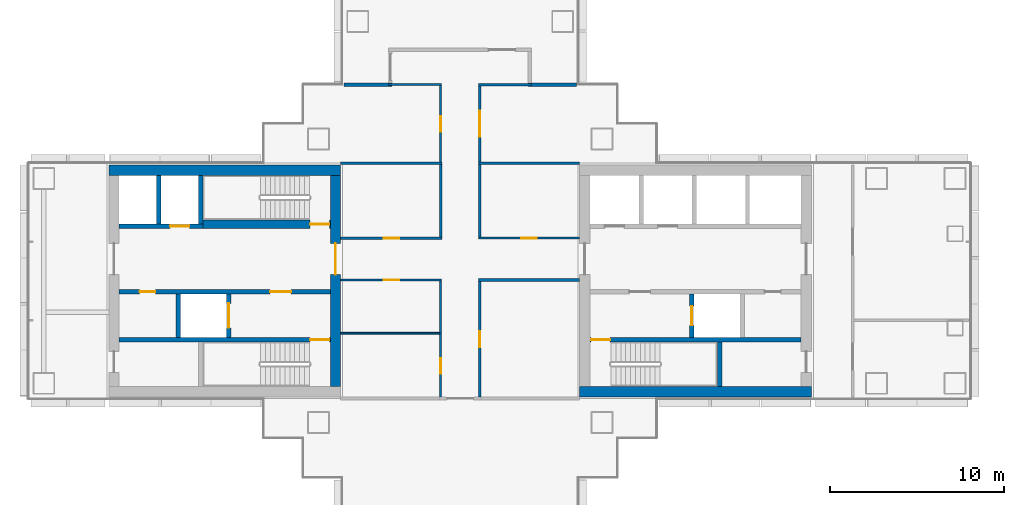
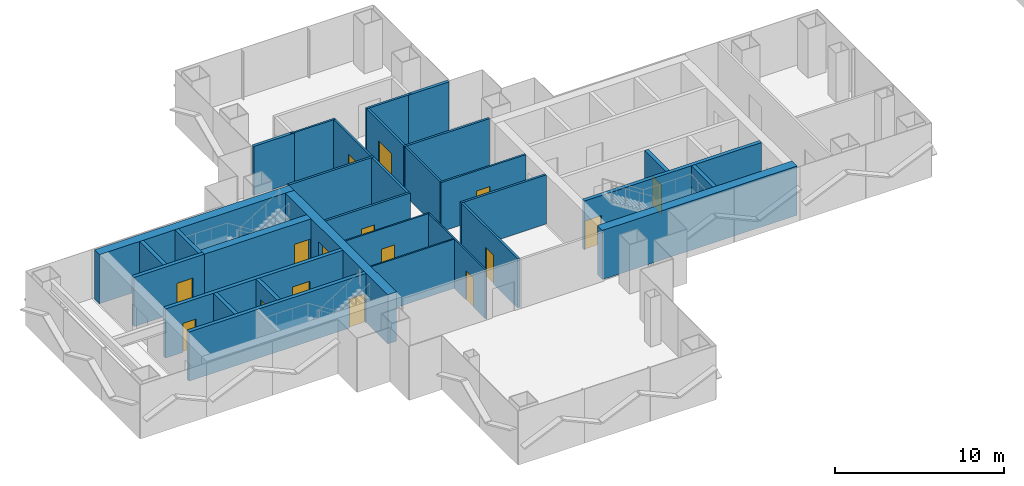
# One storey, part 11 of 19: 31 walls, 16 doors, 16 openings.
"""IFC4 building model written with IfcOpenShell, lengths in metres."""

from ifc_helpers import new_model, si_unit, direction, frame, frame_2d, origin, place, context, subcontext, project, spatial, rectangle, extrude, material, layer, layer_set, type_object, element, fill, save


model = new_model("IFC4")

# Units and contexts
model_context = context("Model", 3, precision=1e-05, world=origin(), true_north=direction((0.0, 1.0)))
body_context = subcontext(model_context, "Body", "Model", "MODEL_VIEW")
ifc_project = project(units=[si_unit("LENGTHUNIT", "METRE"), si_unit("AREAUNIT", "SQUARE_METRE"), si_unit("VOLUMEUNIT", "CUBIC_METRE"), si_unit("PLANEANGLEUNIT", "RADIAN"), si_unit("MASSUNIT", "GRAM", prefix="KILO")], contexts=[model_context])

# Site, building, storey
site_placement = place(None, origin())
site = spatial("IfcSite", under=ifc_project, at=site_placement, CompositionType="ELEMENT")
building_placement = place(site_placement, origin())
building = spatial("IfcBuilding", under=site, at=building_placement, Name="Shamsa Quay Exchange Towers", CompositionType="ELEMENT")
storey_placement = place(building_placement, frame((0.0, 0.0, 97.5)))
storey = spatial("IfcBuildingStorey", under=building, at=storey_placement, Name="L22", CompositionType="ELEMENT", Elevation=97.5)

# Walls
ifc_material_1 = material(Name="Double-leaf gypsum board partition with acoustic insulation")
ifc_layer_1 = layer(ifc_material_1, 0.199951171875)
ifc_layer_set_1 = layer_set([ifc_layer_1], Name="Acoustic partition 200 mm EI 60")
wall_type_1 = type_object("IfcWallType", Name="Acoustic partition 200 mm EI 60", PredefinedType="PARTITIONING", material=ifc_layer_set_1)
for number, where, z_axis, x_axis, name in (
    (1, (-27.094970703125, 11.25, 0.0), (0.0, 0.0, 1.0), (-1.0, 0.0, 0.0), "Partition T1-R09-W23"),
    (2, (-37.64990234375, 11.25, 0.0), (0.0, 0.0, 1.0), (-1.0, 0.0, 0.0), "Partition T1-R09-W24"),
):
    element("IfcWall", number, at=place(storey_placement, frame(where, z_axis=z_axis, x_axis=x_axis)), inside=storey, type_object=wall_type_1, Name=name, PredefinedType="PARTITIONING", context=body_context, shape_type="SweptSolid", body=[
        extrude(rectangle(XDim=2.755126953125, YDim=0.199951171875, at=frame_2d((1.37744140625, 0.0))), origin(), (0.0, 0.0, 1.0), 3.550048828125),
    ])
ifc_material_2 = material(Name="Concrete C70/85", Category="concrete")
ifc_layer_2 = layer(ifc_material_2, 0.60009765625)
ifc_layer_set_2 = layer_set([ifc_layer_2], Name="CORE WALL 600 C70/85")
wall_type_2 = type_object("IfcWallType", Name="CORE WALL 600 C70/85", PredefinedType="SHEAR", material=ifc_layer_set_2)
wall_1_placement = place(storey_placement, frame((-26.89990234375, -6.35009765625, 0.0)))
element("IfcWall", 3, at=wall_1_placement, inside=storey, type_object=wall_type_2, Name="Core wall T1A-R09-PS", PredefinedType="SHEAR", context=body_context, shape_type="SweptSolid", body=[
    extrude(rectangle(XDim=13.2998046875, YDim=0.60009765625, at=frame_2d((6.64990234375, 0.0))), origin(), (0.0, 0.0, 1.0), 3.550048828125),
])
wall_2_placement = place(storey_placement, frame((-40.60009765625, 6.35009765625, 0.0), z_axis=(0.0, 0.0, 1.0), x_axis=(-1.0, 0.0, 0.0)))
element("IfcWall", 4, at=wall_2_placement, inside=storey, type_object=wall_type_2, Name="Core wall T1B-R09-PN", PredefinedType="SHEAR", context=body_context, shape_type="SweptSolid", body=[
    extrude(rectangle(XDim=13.2998046875, YDim=0.60009765625, at=frame_2d((6.64990234375, 0.0))), origin(), (0.0, 0.0, 1.0), 3.550048828125),
])

# Wall, opening, door
wall_3_placement = place(storey_placement, frame((-40.89990234375, -6.050048828125, 0.0), z_axis=(0.0, 0.0, 1.0), x_axis=(0.0, 1.0, 0.0)))
wall_3 = element("IfcWall", 5, at=wall_3_placement, inside=storey, type_object=wall_type_2, Name="Core wall T1B-R09-PF", PredefinedType="SHEAR", context=body_context, shape_type="SweptSolid", body=[
    extrude(rectangle(XDim=12.10009765625, YDim=0.60009765625, at=frame_2d((6.050048828125, 0.0))), origin(), (0.0, 0.0, 1.0), 3.550048828125),
])
opening_1_placement = place(wall_3_placement, frame((6.39990234375, 0.0, 0.0)))
opening_1 = element("IfcOpeningElement", 6, at=opening_1_placement, cuts=wall_3, Name="Opening T1B-R09-LBD01", PredefinedType="OPENING", context=body_context, shape_type="SweptSolid", body=[
    extrude(rectangle(XDim=1.800048828125, YDim=2.39990234375, at=frame_2d((0.89990234375, 1.199951171875))), frame((0.0, 0.31005859375, 0.0), z_axis=(0.0, -1.0, 0.0), x_axis=(1.0, 0.0, 0.0)), (0.0, 0.0, 1.0), 0.6201171875),
])
ifc_material_3 = material(Name="Steel, fire rated", Category="steel")
door_type_1 = type_object("IfcDoorType", Name="LIFT LOBBY DOOR PAIR 1800", OperationType="DOUBLE_DOOR_SINGLE_SWING", PredefinedType="DOOR", material=ifc_material_3)
door_1_placement = place(opening_1_placement, origin())
door_1 = element("IfcDoor", 7, at=door_1_placement, inside=storey, type_object=door_type_1, Name="T1B-R09-LBD01", OperationType="DOUBLE_DOOR_SINGLE_SWING", OverallHeight=2.39990234375, OverallWidth=1.800048828125, PredefinedType="DOOR", context=body_context, shape_type="SweptSolid", body=[
    extrude(rectangle(XDim=1.800048828125, YDim=2.39990234375, at=frame_2d((0.89990234375, 1.199951171875))), frame((0.0, 0.02490234375, 0.0), z_axis=(0.0, -1.0, 0.0), x_axis=(1.0, 0.0, 0.0)), (0.0, 0.0, 1.0), 0.050048828125),
])
fill(opening_1, door_1)

# Wall
ifc_material_4 = material(Name="Laminated fire-resisting glass in a metal frame", Category="glass")
ifc_layer_3 = layer(ifc_material_4, 0.125)
ifc_layer_set_3 = layer_set([ifc_layer_3], Name="Glazed partition 125 mm EI 60")
wall_type_3 = type_object("IfcWallType", Name="Glazed partition 125 mm EI 60", PredefinedType="PARTITIONING", material=ifc_layer_set_3)
wall_4_placement = place(storey_placement, frame((-32.625, 6.675048828125, 0.0), z_axis=(0.0, 0.0, 1.0), x_axis=(0.0, -1.0, 0.0)))
element("IfcWall", 8, at=wall_4_placement, inside=storey, type_object=wall_type_3, Name="Partition T1-R09-W01", PredefinedType="PARTITIONING", context=body_context, shape_type="SweptSolid", body=[
    extrude(rectangle(XDim=4.162353515625, YDim=0.125, at=frame_2d((2.0810546875, 0.0))), origin(), (0.0, 0.0, 1.0), 3.550048828125),
])

# Wall, opening, door
wall_5_placement = place(storey_placement, frame((-32.6875, 2.4501953125, 0.0)))
wall_5 = element("IfcWall", 9, at=wall_5_placement, inside=storey, type_object=wall_type_3, Name="Partition T1-R09-W02", PredefinedType="PARTITIONING", context=body_context, shape_type="SweptSolid", body=[
    extrude(rectangle(XDim=5.78759765625, YDim=0.125, at=frame_2d((2.893798828125, 0.0))), origin(), (0.0, 0.0, 1.0), 3.550048828125),
])
opening_2_placement = place(wall_5_placement, frame((2.425048828125, 0.0, 0.0)))
opening_2 = element("IfcOpeningElement", 10, at=opening_2_placement, cuts=wall_5, Name="Opening T1-R09-D08", PredefinedType="OPENING", context=body_context, shape_type="SweptSolid", body=[
    extrude(rectangle(XDim=0.89990234375, YDim=2.10009765625, at=frame_2d((0.449951171875, 1.050048828125))), frame((0.0, 0.072509765625, 0.0), z_axis=(0.0, -1.0, 0.0), x_axis=(1.0, 0.0, 0.0)), (0.0, 0.0, 1.0), 0.14501953125),
])
ifc_material_5 = material(Name="Timber door leaf in a metal frame", Category="wood")
door_type_2 = type_object("IfcDoorType", Name="Door 900x2100 FD30S", OperationType="NOTDEFINED", PredefinedType="DOOR", material=ifc_material_5)
door_2_placement = place(opening_2_placement, origin())
door_2 = element("IfcDoor", 11, at=door_2_placement, inside=storey, type_object=door_type_2, Name="Door T1-R09-D08", OperationType="SINGLE_SWING_RIGHT", OverallHeight=2.10009765625, OverallWidth=0.89990234375, PredefinedType="DOOR", context=body_context, shape_type="SweptSolid", body=[
    extrude(rectangle(XDim=0.89990234375, YDim=2.10009765625, at=frame_2d((0.449951171875, 1.050048828125))), frame((0.0, 0.02490234375, 0.0), z_axis=(0.0, -1.0, 0.0), x_axis=(1.0, 0.0, 0.0)), (0.0, 0.0, 1.0), 0.050048828125),
])
fill(opening_2, door_2)

wall_6_placement = place(storey_placement, frame((-34.875, 6.824951171875, 0.0), z_axis=(0.0, 0.0, 1.0), x_axis=(0.0, 1.0, 0.0)))
wall_6 = element("IfcWall", 12, at=wall_6_placement, inside=storey, type_object=wall_type_3, Name="Partition T1-R09-W11", PredefinedType="PARTITIONING", context=body_context, shape_type="SweptSolid", body=[
    extrude(rectangle(XDim=4.362548828125, YDim=0.125, at=frame_2d((2.18115234375, 0.0))), origin(), (0.0, 0.0, 1.0), 3.550048828125),
])
opening_3_placement = place(wall_6_placement, frame((1.72509765625, 0.0, 0.0)))
opening_3 = element("IfcOpeningElement", 13, at=opening_3_placement, cuts=wall_6, Name="Opening T1-R09-D05", PredefinedType="OPENING", context=body_context, shape_type="SweptSolid", body=[
    extrude(rectangle(XDim=0.89990234375, YDim=2.10009765625, at=frame_2d((0.449951171875, 1.050048828125))), frame((0.0, 0.072509765625, 0.0), z_axis=(0.0, -1.0, 0.0), x_axis=(1.0, 0.0, 0.0)), (0.0, 0.0, 1.0), 0.14501953125),
])
door_3_placement = place(opening_3_placement, origin())
door_3 = element("IfcDoor", 14, at=door_3_placement, inside=storey, type_object=door_type_2, Name="Door T1-R09-D05", OperationType="SINGLE_SWING_LEFT", OverallHeight=2.10009765625, OverallWidth=0.89990234375, PredefinedType="DOOR", context=body_context, shape_type="SweptSolid", body=[
    extrude(rectangle(XDim=0.89990234375, YDim=2.10009765625, at=frame_2d((0.449951171875, 1.050048828125))), frame((0.0, 0.02490234375, 0.0), z_axis=(0.0, -1.0, 0.0), x_axis=(1.0, 0.0, 0.0)), (0.0, 0.0, 1.0), 0.050048828125),
])
fill(opening_3, door_3)

# Wall
wall_7_placement = place(storey_placement, frame((-34.8125, 11.25, 0.0), z_axis=(0.0, 0.0, 1.0), x_axis=(-1.0, 0.0, 0.0)))
element("IfcWall", 15, at=wall_7_placement, inside=storey, type_object=wall_type_3, Name="Partition T1-R09-W12", PredefinedType="PARTITIONING", context=body_context, shape_type="SweptSolid", body=[
    extrude(rectangle(XDim=3.03759765625, YDim=0.125, at=frame_2d((1.518798828125, 0.0))), origin(), (0.0, 0.0, 1.0), 3.550048828125),
])

# Wall, opening, door
ifc_material_6 = material(Name="Gypsum board partition on metal studs")
ifc_layer_4 = layer(ifc_material_6, 0.10009765625)
ifc_layer_set_4 = layer_set([ifc_layer_4], Name="Partition 100 mm NOT RATED")
wall_type_4 = type_object("IfcWallType", Name="Partition 100 mm NOT RATED", PredefinedType="PARTITIONING", material=ifc_layer_set_4)
wall_8_placement = place(storey_placement, frame((-34.875, -6.675048828125, 0.0), z_axis=(0.0, 0.0, 1.0), x_axis=(0.0, 1.0, 0.0)))
wall_8 = element("IfcWall", 16, at=wall_8_placement, inside=storey, type_object=wall_type_4, Name="Partition T1-R09-W08", PredefinedType="PARTITIONING", context=body_context, shape_type="SweptSolid", body=[
    extrude(rectangle(XDim=6.6748046875, YDim=0.10009765625, at=frame_2d((3.33740234375, 0.0))), origin(), (0.0, 0.0, 1.0), 3.550048828125),
])
opening_4_placement = place(wall_8_placement, frame((1.35009765625, 0.0, 0.0)))
opening_4 = element("IfcOpeningElement", 17, at=opening_4_placement, cuts=wall_8, Name="Opening T1-R09-D03", PredefinedType="OPENING", context=body_context, shape_type="SweptSolid", body=[
    extrude(rectangle(XDim=0.89990234375, YDim=2.10009765625, at=frame_2d((0.449951171875, 1.050048828125))), frame((0.0, 0.06005859375, 0.0), z_axis=(0.0, -1.0, 0.0), x_axis=(1.0, 0.0, 0.0)), (0.0, 0.0, 1.0), 0.1201171875),
])
door_type_3 = type_object("IfcDoorType", Name="Door 900x2100 NOT RATED", OperationType="NOTDEFINED", PredefinedType="DOOR", material=ifc_material_5)
door_4_placement = place(opening_4_placement, origin())
door_4 = element("IfcDoor", 18, at=door_4_placement, inside=storey, type_object=door_type_3, Name="Door T1-R09-D03", OperationType="SINGLE_SWING_RIGHT", OverallHeight=2.10009765625, OverallWidth=0.89990234375, PredefinedType="DOOR", context=body_context, shape_type="SweptSolid", body=[
    extrude(rectangle(XDim=0.89990234375, YDim=2.10009765625, at=frame_2d((0.449951171875, 1.050048828125))), frame((0.0, 0.02490234375, 0.0), z_axis=(0.0, -1.0, 0.0), x_axis=(1.0, 0.0, 0.0)), (0.0, 0.0, 1.0), 0.050048828125),
])
fill(opening_4, door_4)

wall_9_placement = place(storey_placement, frame((-34.824951171875, 0.0498046875, 0.0), z_axis=(0.0, 0.0, 1.0), x_axis=(-1.0, 0.0, 0.0)))
wall_9 = element("IfcWall", 19, at=wall_9_placement, inside=storey, type_object=wall_type_4, Name="Partition T1-R09-W09", PredefinedType="PARTITIONING", context=body_context, shape_type="SweptSolid", body=[
    extrude(rectangle(XDim=5.775146484375, YDim=0.10009765625, at=frame_2d((2.8876953125, 0.0))), origin(), (0.0, 0.0, 1.0), 3.550048828125),
])
opening_5_placement = place(wall_9_placement, frame((2.41259765625, 0.0, 0.0)))
opening_5 = element("IfcOpeningElement", 20, at=opening_5_placement, cuts=wall_9, Name="Opening T1-R09-D04", PredefinedType="OPENING", context=body_context, shape_type="SweptSolid", body=[
    extrude(rectangle(XDim=0.89990234375, YDim=2.10009765625, at=frame_2d((0.449951171875, 1.050048828125))), frame((0.0, 0.06005859375, 0.0), z_axis=(0.0, -1.0, 0.0), x_axis=(1.0, 0.0, 0.0)), (0.0, 0.0, 1.0), 0.1201171875),
])
door_5_placement = place(opening_5_placement, origin())
door_5 = element("IfcDoor", 21, at=door_5_placement, inside=storey, type_object=door_type_3, Name="Door T1-R09-D04", OperationType="SINGLE_SWING_LEFT", OverallHeight=2.10009765625, OverallWidth=0.89990234375, PredefinedType="DOOR", context=body_context, shape_type="SweptSolid", body=[
    extrude(rectangle(XDim=0.89990234375, YDim=2.10009765625, at=frame_2d((0.449951171875, 1.050048828125))), frame((0.0, 0.02490234375, 0.0), z_axis=(0.0, -1.0, 0.0), x_axis=(1.0, 0.0, 0.0)), (0.0, 0.0, 1.0), 0.050048828125),
])
fill(opening_5, door_5)

# Walls
wall_10_placement = place(storey_placement, frame((-34.925048828125, -3.0, 0.0), z_axis=(0.0, 0.0, 1.0), x_axis=(-1.0, 0.0, 0.0)))
element("IfcWall", 22, at=wall_10_placement, inside=storey, type_object=wall_type_4, Name="Partition T1-R09-W22", PredefinedType="PARTITIONING", context=body_context, shape_type="SweptSolid", body=[
    extrude(rectangle(XDim=5.675048828125, YDim=0.10009765625, at=frame_2d((2.83740234375, 0.0))), origin(), (0.0, 0.0, 1.0), 3.550048828125),
])
ifc_layer_5 = layer(ifc_material_6, 0.14990234375)
ifc_layer_set_5 = layer_set([ifc_layer_5], Name="Partition 150 mm EI 60")
wall_type_5 = type_object("IfcWallType", Name="Partition 150 mm EI 60", PredefinedType="PARTITIONING", material=ifc_layer_set_5)
wall_11_placement = place(storey_placement, frame((-26.89990234375, 0.0498046875, 0.0), z_axis=(0.0, 0.0, 1.0), x_axis=(-1.0, 0.0, 0.0)))
element("IfcWall", 23, at=wall_11_placement, inside=storey, type_object=wall_type_5, Name="Partition T1-R09-W03", PredefinedType="PARTITIONING", context=body_context, shape_type="SweptSolid", body=[
    extrude(rectangle(XDim=5.800048828125, YDim=0.14990234375, at=frame_2d((2.89990234375, 0.0))), origin(), (0.0, 0.0, 1.0), 3.550048828125),
])

# Wall, opening, door
wall_12_placement = place(storey_placement, frame((-32.625, 11.175048828125, 0.0), z_axis=(0.0, 0.0, 1.0), x_axis=(0.0, -1.0, 0.0)))
wall_12 = element("IfcWall", 24, at=wall_12_placement, inside=storey, type_object=wall_type_5, Name="Partition T1-R09-W04", PredefinedType="PARTITIONING", context=body_context, shape_type="SweptSolid", body=[
    extrude(rectangle(XDim=4.35009765625, YDim=0.14990234375, at=frame_2d((2.175048828125, 0.0))), origin(), (0.0, 0.0, 1.0), 3.550048828125),
])
opening_6_placement = place(wall_12_placement, frame((1.425048828125, 0.0, 0.0)))
opening_6 = element("IfcOpeningElement", 25, at=opening_6_placement, cuts=wall_12, Name="Opening T1-R09-D09", PredefinedType="OPENING", context=body_context, shape_type="SweptSolid", body=[
    extrude(rectangle(XDim=1.5, YDim=2.10009765625, at=frame_2d((0.75, 1.050048828125))), frame((0.0, 0.0849609375, 0.0), z_axis=(0.0, -1.0, 0.0), x_axis=(1.0, 0.0, 0.0)), (0.0, 0.0, 1.0), 0.169921875),
])
door_type_4 = type_object("IfcDoorType", Name="Door 1500x2100 FD30S pair", OperationType="NOTDEFINED", PredefinedType="DOOR", material=ifc_material_5)
door_6_placement = place(opening_6_placement, origin())
door_6 = element("IfcDoor", 26, at=door_6_placement, inside=storey, type_object=door_type_4, Name="Door T1-R09-D09", OperationType="DOUBLE_DOOR_SINGLE_SWING", OverallHeight=2.10009765625, OverallWidth=1.5, PredefinedType="DOOR", context=body_context, shape_type="SweptSolid", body=[
    extrude(rectangle(XDim=1.5, YDim=2.10009765625, at=frame_2d((0.75, 1.050048828125))), frame((0.0, 0.02490234375, 0.0), z_axis=(0.0, -1.0, 0.0), x_axis=(1.0, 0.0, 0.0)), (0.0, 0.0, 1.0), 0.050048828125),
])
fill(opening_6, door_6)

wall_13_placement = place(storey_placement, frame((-32.625, -0.025146484375, 0.0), z_axis=(0.0, 0.0, 1.0), x_axis=(0.0, -1.0, 0.0)))
wall_13 = element("IfcWall", 27, at=wall_13_placement, inside=storey, type_object=wall_type_5, Name="Partition T1-R09-W05", PredefinedType="PARTITIONING", context=body_context, shape_type="SweptSolid", body=[
    extrude(rectangle(XDim=6.64990234375, YDim=0.14990234375, at=frame_2d((3.324951171875, 0.0))), origin(), (0.0, 0.0, 1.0), 3.550048828125),
])
opening_7_placement = place(wall_13_placement, frame((2.875, 0.0, 0.0)))
opening_7 = element("IfcOpeningElement", 28, at=opening_7_placement, cuts=wall_13, Name="Opening T1-R09-D07", PredefinedType="OPENING", context=body_context, shape_type="SweptSolid", body=[
    extrude(rectangle(XDim=0.89990234375, YDim=2.10009765625, at=frame_2d((0.449951171875, 1.050048828125))), frame((0.0, 0.0849609375, 0.0), z_axis=(0.0, -1.0, 0.0), x_axis=(1.0, 0.0, 0.0)), (0.0, 0.0, 1.0), 0.169921875),
])
door_7_placement = place(opening_7_placement, origin())
door_7 = element("IfcDoor", 29, at=door_7_placement, inside=storey, type_object=door_type_2, Name="Door T1-R09-D07", OperationType="SINGLE_SWING_LEFT", OverallHeight=2.10009765625, OverallWidth=0.89990234375, PredefinedType="DOOR", context=body_context, shape_type="SweptSolid", body=[
    extrude(rectangle(XDim=0.89990234375, YDim=2.10009765625, at=frame_2d((0.449951171875, 1.050048828125))), frame((0.0, 0.02490234375, 0.0), z_axis=(0.0, -1.0, 0.0), x_axis=(1.0, 0.0, 0.0)), (0.0, 0.0, 1.0), 0.050048828125),
])
fill(opening_7, door_7)

wall_14_placement = place(storey_placement, frame((-40.60009765625, 2.4501953125, 0.0)))
wall_14 = element("IfcWall", 30, at=wall_14_placement, inside=storey, type_object=wall_type_5, Name="Partition T1-R09-W06", PredefinedType="PARTITIONING", context=body_context, shape_type="SweptSolid", body=[
    extrude(rectangle(XDim=5.800048828125, YDim=0.14990234375, at=frame_2d((2.89990234375, 0.0))), origin(), (0.0, 0.0, 1.0), 3.550048828125),
])
opening_8_placement = place(wall_14_placement, frame((2.46240234375, 0.0, 0.0)))
opening_8 = element("IfcOpeningElement", 31, at=opening_8_placement, cuts=wall_14, Name="Opening T1-R09-D01", PredefinedType="OPENING", context=body_context, shape_type="SweptSolid", body=[
    extrude(rectangle(XDim=0.89990234375, YDim=2.10009765625, at=frame_2d((0.449951171875, 1.050048828125))), frame((0.0, 0.0849609375, 0.0), z_axis=(0.0, -1.0, 0.0), x_axis=(1.0, 0.0, 0.0)), (0.0, 0.0, 1.0), 0.169921875),
])
door_8_placement = place(opening_8_placement, origin())
door_8 = element("IfcDoor", 32, at=door_8_placement, inside=storey, type_object=door_type_2, Name="Door T1-R09-D01", OperationType="SINGLE_SWING_RIGHT", OverallHeight=2.10009765625, OverallWidth=0.89990234375, PredefinedType="DOOR", context=body_context, shape_type="SweptSolid", body=[
    extrude(rectangle(XDim=0.89990234375, YDim=2.10009765625, at=frame_2d((0.449951171875, 1.050048828125))), frame((0.0, 0.02490234375, 0.0), z_axis=(0.0, -1.0, 0.0), x_axis=(1.0, 0.0, 0.0)), (0.0, 0.0, 1.0), 0.050048828125),
])
fill(opening_8, door_8)

# Walls
wall_15_placement = place(storey_placement, frame((-34.875, 2.525146484375, 0.0), z_axis=(0.0, 0.0, 1.0), x_axis=(0.0, 1.0, 0.0)))
element("IfcWall", 33, at=wall_15_placement, inside=storey, type_object=wall_type_5, Name="Partition T1-R09-W07", PredefinedType="PARTITIONING", context=body_context, shape_type="SweptSolid", body=[
    extrude(rectangle(XDim=4.14990234375, YDim=0.14990234375, at=frame_2d((2.074951171875, 0.0))), origin(), (0.0, 0.0, 1.0), 3.550048828125),
])
wall_16_placement = place(storey_placement, frame((-29.64990234375, 11.25, 0.0), z_axis=(0.0, 0.0, 1.0), x_axis=(-1.0, 0.0, 0.0)))
element("IfcWall", 34, at=wall_16_placement, inside=storey, type_object=wall_type_5, Name="Partition T1-R09-W10", PredefinedType="PARTITIONING", context=body_context, shape_type="SweptSolid", body=[
    extrude(rectangle(XDim=3.050048828125, YDim=0.14990234375, at=frame_2d((1.52490234375, 0.0))), origin(), (0.0, 0.0, 1.0), 3.550048828125),
])
for number, where, z_axis, x_axis, name in (
    (35, (-26.89990234375, 6.75, 0.0), (0.0, 0.0, 1.0), (-1.0, 0.0, 0.0), "Partition T1-R09-W18"),
    (36, (-34.800048828125, 6.75, 0.0), (0.0, 0.0, 1.0), (-1.0, 0.0, 0.0), "Partition T1-R09-W19"),
):
    element("IfcWall", number, at=place(storey_placement, frame(where, z_axis=z_axis, x_axis=x_axis)), inside=storey, type_object=wall_type_5, Name=name, PredefinedType="PARTITIONING", context=body_context, shape_type="SweptSolid", body=[
        extrude(rectangle(XDim=5.800048828125, YDim=0.14990234375, at=frame_2d((2.89990234375, 0.0))), origin(), (0.0, 0.0, 1.0), 3.550048828125),
    ])

# Wall, opening, door
ifc_material_7 = material(Name="Concrete C50/60", Category="concrete")
ifc_layer_6 = layer(ifc_material_7, 0.25)
ifc_layer_set_6 = layer_set([ifc_layer_6], Name="SHAFT WALL 250 C50/60")
wall_type_6 = type_object("IfcWallType", Name="SHAFT WALL 250 C50/60", PredefinedType="SHEAR", material=ifc_layer_set_6)
wall_17_placement = place(storey_placement, frame((-14.199951171875, -3.375, 0.0), z_axis=(0.0, 0.0, 1.0), x_axis=(-1.0, 0.0, 0.0)))
wall_17 = element("IfcWall", 37, at=wall_17_placement, inside=storey, type_object=wall_type_6, Name="Shaft wall T1A-R09-STL", PredefinedType="SHEAR", context=body_context, shape_type="SweptSolid", body=[
    extrude(rectangle(XDim=12.10009765625, YDim=0.25, at=frame_2d((6.050048828125, 0.0))), origin(), (0.0, 0.0, 1.0), 3.550048828125),
])
opening_9_placement = place(wall_17_placement, frame((10.949951171875, 0.0, 0.0)))
opening_9 = element("IfcOpeningElement", 38, at=opening_9_placement, cuts=wall_17, Name="Opening T1A-R09-SD04", PredefinedType="OPENING", context=body_context, shape_type="SweptSolid", body=[
    extrude(rectangle(XDim=1.10009765625, YDim=2.10009765625, at=frame_2d((0.550048828125, 1.050048828125))), frame((0.0, 0.135009765625, 0.0), z_axis=(0.0, -1.0, 0.0), x_axis=(1.0, 0.0, 0.0)), (0.0, 0.0, 1.0), 0.27001953125),
])
door_type_5 = type_object("IfcDoorType", Name="STAIR DOOR 1100", OperationType="SINGLE_SWING_LEFT", PredefinedType="DOOR", material=ifc_material_3)
door_9_placement = place(opening_9_placement, origin())
door_9 = element("IfcDoor", 39, at=door_9_placement, inside=storey, type_object=door_type_5, Name="T1A-R09-SD04", OperationType="SINGLE_SWING_RIGHT", OverallHeight=2.10009765625, OverallWidth=1.10009765625, PredefinedType="DOOR", context=body_context, shape_type="SweptSolid", body=[
    extrude(rectangle(XDim=1.10009765625, YDim=2.10009765625, at=frame_2d((0.550048828125, 1.050048828125))), frame((0.0, 0.02490234375, 0.0), z_axis=(0.0, -1.0, 0.0), x_axis=(1.0, 0.0, 0.0)), (0.0, 0.0, 1.0), 0.050048828125),
])
fill(opening_9, door_9)

# Wall
wall_18_placement = place(storey_placement, frame((-18.875, -6.050048828125, 0.0), z_axis=(0.0, 0.0, 1.0), x_axis=(0.0, 1.0, 0.0)))
element("IfcWall", 40, at=wall_18_placement, inside=storey, type_object=wall_type_6, Name="Shaft wall T1A-R09-STF", PredefinedType="SHEAR", context=body_context, shape_type="SweptSolid", body=[
    extrude(rectangle(XDim=2.550048828125, YDim=0.25, at=frame_2d((1.27490234375, 0.0))), origin(), (0.0, 0.0, 1.0), 3.550048828125),
])

# Wall, opening, door
wall_19_placement = place(storey_placement, frame((-20.47509765625, -3.25, 0.0), z_axis=(0.0, 0.0, 1.0), x_axis=(0.0, 1.0, 0.0)))
wall_19 = element("IfcWall", 41, at=wall_19_placement, inside=storey, type_object=wall_type_6, Name="Shaft wall T1A-R09-FFF", PredefinedType="SHEAR", context=body_context, shape_type="SweptSolid", body=[
    extrude(rectangle(XDim=2.5, YDim=0.25, at=frame_2d((1.25, 0.0))), origin(), (0.0, 0.0, 1.0), 3.550048828125),
])
opening_10_placement = place(wall_19_placement, frame((0.699951171875, 0.0, 0.0)))
opening_10 = element("IfcOpeningElement", 42, at=opening_10_placement, cuts=wall_19, Name="Opening T1A-R09-LDF07", PredefinedType="OPENING", context=body_context, shape_type="SweptSolid", body=[
    extrude(rectangle(XDim=1.10009765625, YDim=2.10009765625, at=frame_2d((0.550048828125, 1.050048828125))), frame((0.0, 0.135009765625, 0.0), z_axis=(0.0, -1.0, 0.0), x_axis=(1.0, 0.0, 0.0)), (0.0, 0.0, 1.0), 0.27001953125),
])
door_type_6 = type_object("IfcDoorType", Name="FIRE SERVICE LANDING DOOR 1100", OperationType="SLIDING_TO_LEFT", PredefinedType="DOOR", material=ifc_material_3)
door_10_placement = place(opening_10_placement, origin())
door_10 = element("IfcDoor", 43, at=door_10_placement, inside=storey, type_object=door_type_6, Name="T1A-R09-LDF07", OperationType="SLIDING_TO_LEFT", OverallHeight=2.10009765625, OverallWidth=1.10009765625, PredefinedType="DOOR", context=body_context, shape_type="SweptSolid", body=[
    extrude(rectangle(XDim=1.10009765625, YDim=2.10009765625, at=frame_2d((0.550048828125, 1.050048828125))), frame((0.0, 0.02490234375, 0.0), z_axis=(0.0, -1.0, 0.0), x_axis=(1.0, 0.0, 0.0)), (0.0, 0.0, 1.0), 0.050048828125),
])
fill(opening_10, door_10)

wall_20_placement = place(storey_placement, frame((-41.199951171875, -3.375, 0.0), z_axis=(0.0, 0.0, 1.0), x_axis=(-1.0, 0.0, 0.0)))
wall_20 = element("IfcWall", 44, at=wall_20_placement, inside=storey, type_object=wall_type_6, Name="Shaft wall T1B-R09-STL", PredefinedType="SHEAR", context=body_context, shape_type="SweptSolid", body=[
    extrude(rectangle(XDim=12.10009765625, YDim=0.25, at=frame_2d((6.050048828125, 0.0))), origin(), (0.0, 0.0, 1.0), 3.550048828125),
])
opening_11_placement = place(wall_20_placement, frame((0.050048828125, 0.0, 0.0)))
opening_11 = element("IfcOpeningElement", 45, at=opening_11_placement, cuts=wall_20, Name="Opening T1B-R09-SD04", PredefinedType="OPENING", context=body_context, shape_type="SweptSolid", body=[
    extrude(rectangle(XDim=1.10009765625, YDim=2.10009765625, at=frame_2d((0.550048828125, 1.050048828125))), frame((0.0, 0.135009765625, 0.0), z_axis=(0.0, -1.0, 0.0), x_axis=(1.0, 0.0, 0.0)), (0.0, 0.0, 1.0), 0.27001953125),
])
door_11_placement = place(opening_11_placement, origin())
door_11 = element("IfcDoor", 46, at=door_11_placement, inside=storey, type_object=door_type_5, Name="T1B-R09-SD04", OperationType="SINGLE_SWING_LEFT", OverallHeight=2.10009765625, OverallWidth=1.10009765625, PredefinedType="DOOR", context=body_context, shape_type="SweptSolid", body=[
    extrude(rectangle(XDim=1.10009765625, YDim=2.10009765625, at=frame_2d((0.550048828125, 1.050048828125))), frame((0.0, 0.02490234375, 0.0), z_axis=(0.0, -1.0, 0.0), x_axis=(1.0, 0.0, 0.0)), (0.0, 0.0, 1.0), 0.050048828125),
])
fill(opening_11, door_11)

# Wall, openings, doors
wall_21_placement = place(storey_placement, frame((-41.199951171875, -0.625, 0.0), z_axis=(0.0, 0.0, 1.0), x_axis=(-1.0, 0.0, 0.0)))
wall_21 = element("IfcWall", 47, at=wall_21_placement, inside=storey, type_object=wall_type_6, Name="Shaft wall T1B-R09-B", PredefinedType="SHEAR", context=body_context, shape_type="SweptSolid", body=[
    extrude(rectangle(XDim=12.10009765625, YDim=0.25, at=frame_2d((6.050048828125, 0.0))), origin(), (0.0, 0.0, 1.0), 3.550048828125),
])
opening_12_placement = place(wall_21_placement, frame((2.25, 0.0, 0.0)))
opening_12 = element("IfcOpeningElement", 48, at=opening_12_placement, cuts=wall_21, Name="Opening T1B-R09-FD05", PredefinedType="OPENING", context=body_context, shape_type="SweptSolid", body=[
    extrude(rectangle(XDim=1.199951171875, YDim=2.10009765625, at=frame_2d((0.60009765625, 1.050048828125))), frame((0.0, 0.135009765625, 0.0), z_axis=(0.0, -1.0, 0.0), x_axis=(1.0, 0.0, 0.0)), (0.0, 0.0, 1.0), 0.27001953125),
])
opening_13_placement = place(wall_21_placement, frame((10.02490234375, 0.0, 0.0)))
opening_13 = element("IfcOpeningElement", 49, at=opening_13_placement, cuts=wall_21, Name="Opening T1B-R09-SV06", PredefinedType="OPENING", context=body_context, shape_type="SweptSolid", body=[
    extrude(rectangle(XDim=0.89990234375, YDim=2.10009765625, at=frame_2d((0.449951171875, 1.050048828125))), frame((0.0, 0.135009765625, 0.0), z_axis=(0.0, -1.0, 0.0), x_axis=(1.0, 0.0, 0.0)), (0.0, 0.0, 1.0), 0.27001953125),
])
door_type_7 = type_object("IfcDoorType", Name="FIRE SERVICE LOBBY DOOR 1200", OperationType="SINGLE_SWING_LEFT", PredefinedType="DOOR", material=ifc_material_3)
door_12_placement = place(opening_12_placement, origin())
door_12 = element("IfcDoor", 50, at=door_12_placement, inside=storey, type_object=door_type_7, Name="T1B-R09-FD05", OperationType="SINGLE_SWING_LEFT", OverallHeight=2.10009765625, OverallWidth=1.199951171875, PredefinedType="DOOR", context=body_context, shape_type="SweptSolid", body=[
    extrude(rectangle(XDim=1.199951171875, YDim=2.10009765625, at=frame_2d((0.60009765625, 1.050048828125))), frame((0.0, 0.02490234375, 0.0), z_axis=(0.0, -1.0, 0.0), x_axis=(1.0, 0.0, 0.0)), (0.0, 0.0, 1.0), 0.050048828125),
])
fill(opening_12, door_12)
door_type_8 = type_object("IfcDoorType", Name="SERVICE ROOM DOOR 900", OperationType="SINGLE_SWING_LEFT", PredefinedType="DOOR", material=ifc_material_3)
door_13_placement = place(opening_13_placement, origin())
door_13 = element("IfcDoor", 51, at=door_13_placement, inside=storey, type_object=door_type_8, Name="T1B-R09-SV06", OperationType="SINGLE_SWING_RIGHT", OverallHeight=2.10009765625, OverallWidth=0.89990234375, PredefinedType="DOOR", context=body_context, shape_type="SweptSolid", body=[
    extrude(rectangle(XDim=0.89990234375, YDim=2.10009765625, at=frame_2d((0.449951171875, 1.050048828125))), frame((0.0, 0.02490234375, 0.0), z_axis=(0.0, -1.0, 0.0), x_axis=(1.0, 0.0, 0.0)), (0.0, 0.0, 1.0), 0.050048828125),
])
fill(opening_13, door_13)

# Wall, opening, door
wall_22_placement = place(storey_placement, frame((-47.02490234375, -3.25, 0.0), z_axis=(0.0, 0.0, 1.0), x_axis=(0.0, 1.0, 0.0)))
wall_22 = element("IfcWall", 52, at=wall_22_placement, inside=storey, type_object=wall_type_6, Name="Shaft wall T1B-R09-FFF", PredefinedType="SHEAR", context=body_context, shape_type="SweptSolid", body=[
    extrude(rectangle(XDim=2.5, YDim=0.25, at=frame_2d((1.25, 0.0))), origin(), (0.0, 0.0, 1.0), 3.550048828125),
])
opening_14_placement = place(wall_22_placement, frame((0.550048828125, 0.0, 0.0)))
opening_14 = element("IfcOpeningElement", 53, at=opening_14_placement, cuts=wall_22, Name="Opening T1B-R09-LDG07", PredefinedType="OPENING", context=body_context, shape_type="SweptSolid", body=[
    extrude(rectangle(XDim=1.39990234375, YDim=2.39990234375, at=frame_2d((0.699951171875, 1.199951171875))), frame((0.0, 0.135009765625, 0.0), z_axis=(0.0, -1.0, 0.0), x_axis=(1.0, 0.0, 0.0)), (0.0, 0.0, 1.0), 0.27001953125),
])
door_type_9 = type_object("IfcDoorType", Name="GOODS LIFT LANDING DOOR 1400", OperationType="SLIDING_TO_LEFT", PredefinedType="DOOR", material=ifc_material_3)
door_14_placement = place(opening_14_placement, origin())
door_14 = element("IfcDoor", 54, at=door_14_placement, inside=storey, type_object=door_type_9, Name="T1B-R09-LDG07", OperationType="SLIDING_TO_LEFT", OverallHeight=2.39990234375, OverallWidth=1.39990234375, PredefinedType="DOOR", context=body_context, shape_type="SweptSolid", body=[
    extrude(rectangle(XDim=1.39990234375, YDim=2.39990234375, at=frame_2d((0.699951171875, 1.199951171875))), frame((0.0, 0.02490234375, 0.0), z_axis=(0.0, -1.0, 0.0), x_axis=(1.0, 0.0, 0.0)), (0.0, 0.0, 1.0), 0.050048828125),
])
fill(opening_14, door_14)

# Wall
wall_23_placement = place(storey_placement, frame((-49.925048828125, -3.25, 0.0), z_axis=(0.0, 0.0, 1.0), x_axis=(0.0, 1.0, 0.0)))
element("IfcWall", 55, at=wall_23_placement, inside=storey, type_object=wall_type_6, Name="Shaft wall T1B-R09-FFB", PredefinedType="SHEAR", context=body_context, shape_type="SweptSolid", body=[
    extrude(rectangle(XDim=2.5, YDim=0.25, at=frame_2d((1.25, 0.0))), origin(), (0.0, 0.0, 1.0), 3.550048828125),
])

# Wall, opening, door
wall_24_placement = place(storey_placement, frame((-48.5, 3.125, 0.0), z_axis=(0.0, 0.0, 1.0), x_axis=(-1.0, 0.0, 0.0)))
wall_24 = element("IfcWall", 56, at=wall_24_placement, inside=storey, type_object=wall_type_6, Name="Shaft wall T1B-R09-N2", PredefinedType="SHEAR", context=body_context, shape_type="SweptSolid", body=[
    extrude(rectangle(XDim=4.800048828125, YDim=0.25, at=frame_2d((2.39990234375, 0.0))), origin(), (0.0, 0.0, 1.0), 3.550048828125),
])
opening_15_placement = place(wall_24_placement, frame((0.77490234375, 0.0, 0.0)))
opening_15 = element("IfcOpeningElement", 57, at=opening_15_placement, cuts=wall_24, Name="Opening T1B-R09-LD09", PredefinedType="OPENING", context=body_context, shape_type="SweptSolid", body=[
    extrude(rectangle(XDim=1.10009765625, YDim=2.10009765625, at=frame_2d((0.550048828125, 1.050048828125))), frame((0.0, 0.135009765625, 0.0), z_axis=(0.0, -1.0, 0.0), x_axis=(1.0, 0.0, 0.0)), (0.0, 0.0, 1.0), 0.27001953125),
])
door_type_10 = type_object("IfcDoorType", Name="LANDING DOOR 1100", OperationType="SLIDING_TO_LEFT", PredefinedType="DOOR", material=ifc_material_3)
door_15_placement = place(opening_15_placement, origin())
door_15 = element("IfcDoor", 58, at=door_15_placement, inside=storey, type_object=door_type_10, Name="T1B-R09-LD09", OperationType="SLIDING_TO_LEFT", OverallHeight=2.10009765625, OverallWidth=1.10009765625, PredefinedType="DOOR", context=body_context, shape_type="SweptSolid", body=[
    extrude(rectangle(XDim=1.10009765625, YDim=2.10009765625, at=frame_2d((0.550048828125, 1.050048828125))), frame((0.0, 0.02490234375, 0.0), z_axis=(0.0, -1.0, 0.0), x_axis=(1.0, 0.0, 0.0)), (0.0, 0.0, 1.0), 0.050048828125),
])
fill(opening_15, door_15)

# Walls
for number, where, z_axis, x_axis, name in (
    (59, (-48.625, 3.25, 0.0), (0.0, 0.0, 1.0), (0.0, 1.0, 0.0), "Shaft wall T1B-R09-STF2"),
    (60, (-51.02490234375, 3.25, 0.0), (0.0, 0.0, 1.0), (0.0, 1.0, 0.0), "Shaft wall T1B-R09-D0"),
):
    element("IfcWall", number, at=place(storey_placement, frame(where, z_axis=z_axis, x_axis=x_axis)), inside=storey, type_object=wall_type_6, Name=name, PredefinedType="SHEAR", context=body_context, shape_type="SweptSolid", body=[
        extrude(rectangle(XDim=2.800048828125, YDim=0.25, at=frame_2d((1.39990234375, 0.0))), origin(), (0.0, 0.0, 1.0), 3.550048828125),
    ])

# Wall, opening, door
ifc_layer_7 = layer(ifc_material_7, 0.5)
ifc_layer_set_7 = layer_set([ifc_layer_7], Name="SHAFT WALL 500 C50/60")
wall_type_7 = type_object("IfcWallType", Name="SHAFT WALL 500 C50/60", PredefinedType="SHEAR", material=ifc_layer_set_7)
wall_25_placement = place(storey_placement, frame((-48.5, 3.25, 0.0)))
wall_25 = element("IfcWall", 61, at=wall_25_placement, inside=storey, type_object=wall_type_7, Name="Shaft wall T1B-R09-N", PredefinedType="SHEAR", context=body_context, shape_type="SweptSolid", body=[
    extrude(rectangle(XDim=7.300048828125, YDim=0.5, at=frame_2d((3.64990234375, 0.0))), origin(), (0.0, 0.0, 1.0), 3.550048828125),
])
opening_16_placement = place(wall_25_placement, frame((6.14990234375, 0.0, 0.0)))
opening_16 = element("IfcOpeningElement", 62, at=opening_16_placement, cuts=wall_25, Name="Opening T1B-R09-SD08", PredefinedType="OPENING", context=body_context, shape_type="SweptSolid", body=[
    extrude(rectangle(XDim=1.10009765625, YDim=2.10009765625, at=frame_2d((0.550048828125, 1.050048828125))), frame((0.0, 0.260009765625, 0.0), z_axis=(0.0, -1.0, 0.0), x_axis=(1.0, 0.0, 0.0)), (0.0, 0.0, 1.0), 0.52001953125),
])
door_16_placement = place(opening_16_placement, origin())
door_16 = element("IfcDoor", 63, at=door_16_placement, inside=storey, type_object=door_type_5, Name="T1B-R09-SD08", OperationType="SINGLE_SWING_RIGHT", OverallHeight=2.10009765625, OverallWidth=1.10009765625, PredefinedType="DOOR", context=body_context, shape_type="SweptSolid", body=[
    extrude(rectangle(XDim=1.10009765625, YDim=2.10009765625, at=frame_2d((0.550048828125, 1.050048828125))), frame((0.0, 0.02490234375, 0.0), z_axis=(0.0, -1.0, 0.0), x_axis=(1.0, 0.0, 0.0)), (0.0, 0.0, 1.0), 0.050048828125),
])
fill(opening_16, door_16)

save(model, "model.ifc")
